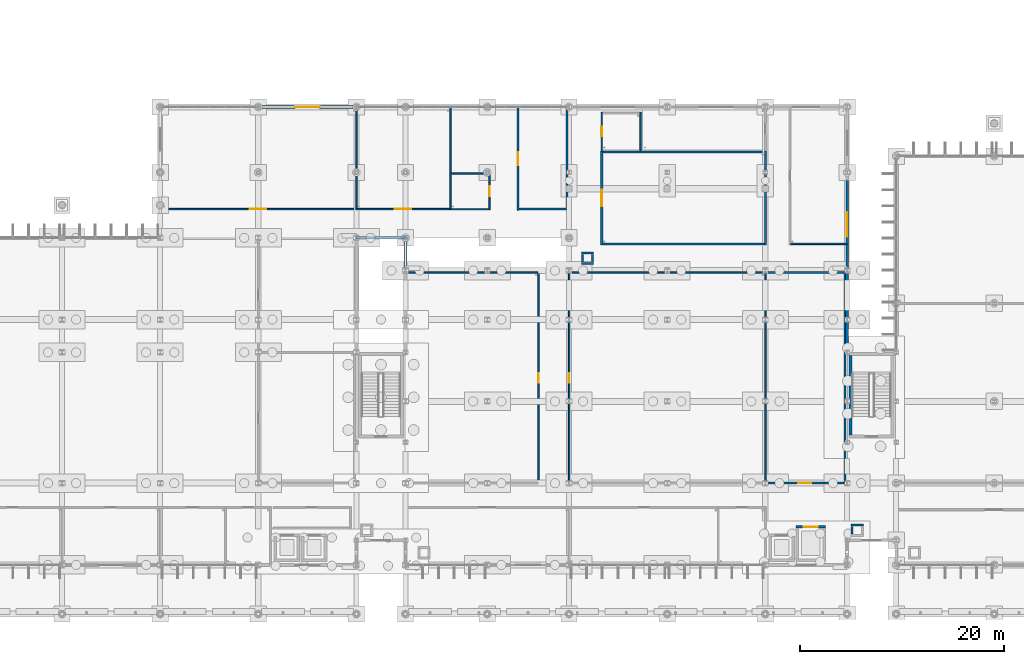
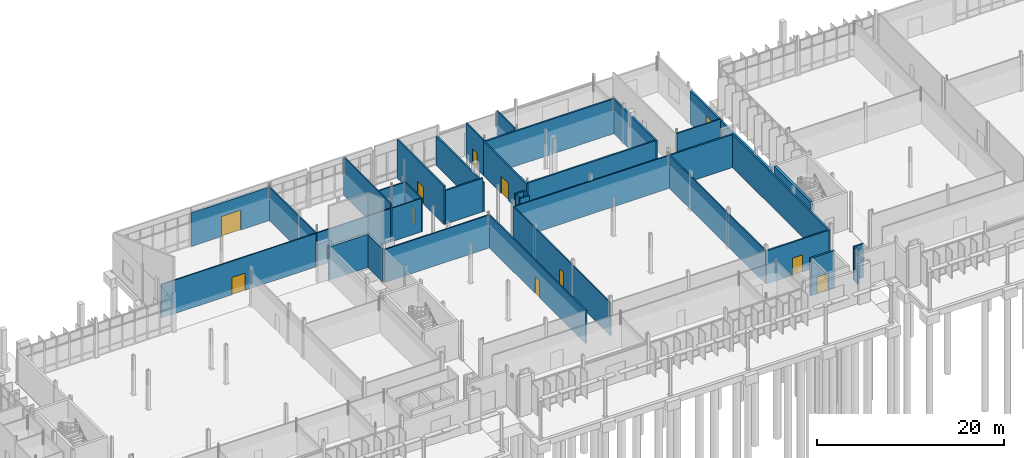
# One storey, part 62 of 111: 38 walls, 11 doors, 1 window, 12 openings.
"""IFC4 building model written with IfcOpenShell, lengths in metres."""

from ifc_helpers import new_model, si_unit, direction, frame, frame_2d, origin, place, context, subcontext, project, spatial, rectangle, extrude, material, layer, layer_set, type_object, element, fill, save


model = new_model("IFC4")

# Units and contexts
model_context = context("Model", 3, precision=1e-05, world=origin(), true_north=direction((0.0, 1.0)))
body_context = subcontext(model_context, "Body", "Model", "MODEL_VIEW")
ifc_project = project(units=[si_unit("LENGTHUNIT", "METRE"), si_unit("AREAUNIT", "SQUARE_METRE"), si_unit("VOLUMEUNIT", "CUBIC_METRE"), si_unit("PLANEANGLEUNIT", "RADIAN"), si_unit("MASSUNIT", "GRAM", prefix="KILO")], contexts=[model_context])

# Site, building, storey
site_placement = place(None, origin())
site = spatial("IfcSite", under=ifc_project, at=site_placement, CompositionType="ELEMENT")
building_placement = place(site_placement, origin())
building = spatial("IfcBuilding", under=site, at=building_placement, Name="Dunescarp Central Library", CompositionType="ELEMENT")
storey_placement = place(building_placement, origin())
storey = spatial("IfcBuildingStorey", under=building, at=storey_placement, Name="L00", CompositionType="ELEMENT", Elevation=0.0)

# Wall
ifc_material_1 = material(Name="Gypsum plasterboard acoustic partition")
ifc_layer_1 = layer(ifc_material_1, 0.14990234375)
ifc_layer_set_1 = layer_set([ifc_layer_1], Name="Gypsum plasterboard acoustic partition")
wall_type_1 = type_object("IfcWallType", Name="ARC-PT-AC150", PredefinedType="PARTITIONING", material=ifc_layer_set_1)
wall_1_placement = place(storey_placement, frame((81.639892578125, 33.39990234375, 0.0), z_axis=(0.0, 0.0, 1.0), x_axis=(1.0, 0.0, 0.0)))
element("IfcWall", 1, at=wall_1_placement, inside=storey, type_object=wall_type_1, Name="L00 partition PT-L00-0260", PredefinedType="PARTITIONING", context=body_context, shape_type="SweptSolid", body=[
    extrude(rectangle(XDim=12.885009765625, YDim=0.14990234375, at=frame_2d((6.4423828125, 0.0))), origin(), (0.0, 0.0, 1.0), 4.304931640625),
])

# Wall, opening, door
wall_2_placement = place(storey_placement, frame((94.60009765625, 12.72509765625, 0.0), z_axis=(0.0, 0.0, 1.0), x_axis=(0.0, 1.0, 0.0)))
wall_2 = element("IfcWall", 2, at=wall_2_placement, inside=storey, type_object=wall_type_1, Name="L00 partition PT-L00-0261", PredefinedType="PARTITIONING", context=body_context, shape_type="SweptSolid", body=[
    extrude(rectangle(XDim=20.75, YDim=0.14990234375, at=frame_2d((10.375, 0.0))), origin(), (0.0, 0.0, 1.0), 4.304931640625),
])
opening_1_placement = place(wall_2_placement, frame((9.89990234375, 0.0, 0.0)))
opening_1 = element("IfcOpeningElement", 3, at=opening_1_placement, cuts=wall_2, Name="Opening DR-L00-0109", PredefinedType="OPENING", context=body_context, shape_type="SweptSolid", body=[
    extrude(rectangle(XDim=0.949951171875, YDim=2.14990234375, at=frame_2d((0.47509765625, 1.074951171875))), frame((0.0, 0.0849609375, 0.0), z_axis=(0.0, -1.0, 0.0), x_axis=(1.0, 0.0, 0.0)), (0.0, 0.0, 1.0), 0.169921875),
])
ifc_material_2 = material(Name="Hardwood solid-core timber leaf", Category="wood")
door_type_1 = type_object("IfcDoorType", Name="ARC-DR-INT950", OperationType="NOTDEFINED", PredefinedType="DOOR", material=ifc_material_2)
door_1_placement = place(opening_1_placement, origin())
door_1 = element("IfcDoor", 4, at=door_1_placement, inside=storey, type_object=door_type_1, Name="L00 interior door DR-L00-0109", OperationType="SINGLE_SWING_RIGHT", OverallHeight=2.14990234375, OverallWidth=0.949951171875, PredefinedType="DOOR", context=body_context, shape_type="SweptSolid", body=[
    extrude(rectangle(XDim=0.949951171875, YDim=2.14990234375, at=frame_2d((0.47509765625, 1.074951171875))), frame((0.0, 0.02490234375, 0.0), z_axis=(0.0, -1.0, 0.0), x_axis=(1.0, 0.0, 0.0)), (0.0, 0.0, 1.0), 0.050048828125),
])
fill(opening_1, door_1)

# Wall
wall_3_placement = place(storey_placement, frame((97.675048828125, 33.39990234375, 0.0), z_axis=(0.0, 0.0, 1.0), x_axis=(1.0, 0.0, 0.0)))
element("IfcWall", 5, at=wall_3_placement, inside=storey, type_object=wall_type_1, Name="L00 partition PT-L00-0263", PredefinedType="PARTITIONING", context=body_context, shape_type="SweptSolid", body=[
    extrude(rectangle(XDim=19.050048828125, YDim=0.14990234375, at=frame_2d((9.52490234375, 0.0))), origin(), (0.0, 0.0, 1.0), 4.304931640625),
])

# Wall, opening, door
wall_4_placement = place(storey_placement, frame((97.60009765625, 12.72509765625, 0.0), z_axis=(0.0, 0.0, 1.0), x_axis=(0.0, 1.0, 0.0)))
wall_4 = element("IfcWall", 6, at=wall_4_placement, inside=storey, type_object=wall_type_1, Name="L00 partition PT-L00-0264", PredefinedType="PARTITIONING", context=body_context, shape_type="SweptSolid", body=[
    extrude(rectangle(XDim=20.75, YDim=0.14990234375, at=frame_2d((10.375, 0.0))), origin(), (0.0, 0.0, 1.0), 4.304931640625),
])
opening_2_placement = place(wall_4_placement, frame((9.89990234375, 0.0, 0.0)))
opening_2 = element("IfcOpeningElement", 7, at=opening_2_placement, cuts=wall_4, Name="Opening DR-L00-0110", PredefinedType="OPENING", context=body_context, shape_type="SweptSolid", body=[
    extrude(rectangle(XDim=0.949951171875, YDim=2.14990234375, at=frame_2d((0.47509765625, 1.074951171875))), frame((0.0, 0.0849609375, 0.0), z_axis=(0.0, -1.0, 0.0), x_axis=(1.0, 0.0, 0.0)), (0.0, 0.0, 1.0), 0.169921875),
])
door_2_placement = place(opening_2_placement, origin())
door_2 = element("IfcDoor", 8, at=door_2_placement, inside=storey, type_object=door_type_1, Name="L00 interior door DR-L00-0110", OperationType="SINGLE_SWING_LEFT", OverallHeight=2.14990234375, OverallWidth=0.949951171875, PredefinedType="DOOR", context=body_context, shape_type="SweptSolid", body=[
    extrude(rectangle(XDim=0.949951171875, YDim=2.14990234375, at=frame_2d((0.47509765625, 1.074951171875))), frame((0.0, 0.02490234375, 0.0), z_axis=(0.0, -1.0, 0.0), x_axis=(1.0, 0.0, 0.0)), (0.0, 0.0, 1.0), 0.050048828125),
])
fill(opening_2, door_2)

# Walls
wall_5_placement = place(storey_placement, frame((116.800048828125, 12.72509765625, 0.0), z_axis=(0.0, 0.0, 1.0), x_axis=(0.0, 1.0, 0.0)))
element("IfcWall", 9, at=wall_5_placement, inside=storey, type_object=wall_type_1, Name="L00 partition PT-L00-0265", PredefinedType="PARTITIONING", context=body_context, shape_type="SweptSolid", body=[
    extrude(rectangle(XDim=20.75, YDim=0.14990234375, at=frame_2d((10.375, 0.0))), origin(), (0.0, 0.0, 1.0), 4.304931640625),
])
wall_6_placement = place(storey_placement, frame((119.27490234375, 36.199951171875, 0.0), z_axis=(0.0, 0.0, 1.0), x_axis=(1.0, 0.0, 0.0)))
element("IfcWall", 10, at=wall_6_placement, inside=storey, type_object=wall_type_1, Name="L00 partition PT-L00-0316", PredefinedType="PARTITIONING", context=body_context, shape_type="SweptSolid", body=[
    extrude(rectangle(XDim=5.485107421875, YDim=0.14990234375, at=frame_2d((2.74267578125, 0.0))), origin(), (0.0, 0.0, 1.0), 4.552001953125),
])

# Wall, opening, door
wall_7_placement = place(storey_placement, frame((57.639892578125, 39.60009765625, 0.0), z_axis=(0.0, 0.0, 1.0), x_axis=(1.0, 0.0, 0.0)))
wall_7 = element("IfcWall", 11, at=wall_7_placement, inside=storey, type_object=wall_type_1, Name="L00 partition PT-L00-0414", PredefinedType="PARTITIONING", context=body_context, shape_type="SweptSolid", body=[
    extrude(rectangle(XDim=19.085205078125, YDim=0.14990234375, at=frame_2d((9.54248046875, 0.0))), origin(), (0.0, 0.0, 1.0), 4.3720703125),
])
opening_3_placement = place(wall_7_placement, frame((8.741943359375, 0.0, 0.0)))
opening_3 = element("IfcOpeningElement", 12, at=opening_3_placement, cuts=wall_7, Name="Opening DR-L00-0180", PredefinedType="OPENING", context=body_context, shape_type="SweptSolid", body=[
    extrude(rectangle(XDim=1.60009765625, YDim=2.25, at=frame_2d((0.800048828125, 1.125))), frame((0.0, 0.0849609375, 0.0), z_axis=(0.0, -1.0, 0.0), x_axis=(1.0, 0.0, 0.0)), (0.0, 0.0, 1.0), 0.169921875),
])
ifc_material_3 = material(Name="Marine-grade anodised aluminium 6063-T6", Category="aluminium")
door_type_2 = type_object("IfcDoorType", Name="ARC-DR-DBL1600", OperationType="DOUBLE_DOOR_SINGLE_SWING", PredefinedType="DOOR", material=ifc_material_3)
door_3_placement = place(opening_3_placement, origin())
door_3 = element("IfcDoor", 13, at=door_3_placement, inside=storey, type_object=door_type_2, Name="L00 interior door DR-L00-0180", OperationType="DOUBLE_DOOR_SINGLE_SWING", OverallHeight=2.25, OverallWidth=1.60009765625, PredefinedType="DOOR", context=body_context, shape_type="SweptSolid", body=[
    extrude(rectangle(XDim=1.60009765625, YDim=2.25, at=frame_2d((0.800048828125, 1.125))), frame((0.0, 0.02490234375, 0.0), z_axis=(0.0, -1.0, 0.0), x_axis=(1.0, 0.0, 0.0)), (0.0, 0.0, 1.0), 0.050048828125),
])
fill(opening_3, door_3)

# Wall
wall_8_placement = place(storey_placement, frame((76.800048828125, 39.52490234375, 0.0), z_axis=(0.0, 0.0, 1.0), x_axis=(0.0, 1.0, 0.0)))
element("IfcWall", 14, at=wall_8_placement, inside=storey, type_object=wall_type_1, Name="L00 partition PT-L00-0415", PredefinedType="PARTITIONING", context=body_context, shape_type="SweptSolid", body=[
    extrude(rectangle(XDim=10.03515625, YDim=0.14990234375, at=frame_2d((5.017578125, 0.0))), origin(), (0.0, 0.0, 1.0), 4.3720703125),
])

# Wall, opening, door
wall_9_placement = place(storey_placement, frame((76.800048828125, 39.60009765625, 0.0), z_axis=(0.0, 0.0, 1.0), x_axis=(1.0, 0.0, 0.0)))
wall_9 = element("IfcWall", 15, at=wall_9_placement, inside=storey, type_object=wall_type_1, Name="L00 partition PT-L00-0416", PredefinedType="PARTITIONING", context=body_context, shape_type="SweptSolid", body=[
    extrude(rectangle(XDim=9.125, YDim=0.14990234375, at=frame_2d((4.5625, 0.0))), origin(), (0.0, 0.0, 1.0), 4.3720703125),
])
opening_4_placement = place(wall_9_placement, frame((3.762939453125, 0.0, 0.0)))
opening_4 = element("IfcOpeningElement", 16, at=opening_4_placement, cuts=wall_9, Name="Opening DR-L00-0181", PredefinedType="OPENING", context=body_context, shape_type="SweptSolid", body=[
    extrude(rectangle(XDim=1.60009765625, YDim=2.25, at=frame_2d((0.800048828125, 1.125))), frame((0.0, 0.0849609375, 0.0), z_axis=(0.0, -1.0, 0.0), x_axis=(1.0, 0.0, 0.0)), (0.0, 0.0, 1.0), 0.169921875),
])
door_4_placement = place(opening_4_placement, origin())
door_4 = element("IfcDoor", 17, at=door_4_placement, inside=storey, type_object=door_type_2, Name="L00 interior door DR-L00-0181", OperationType="DOUBLE_DOOR_SINGLE_SWING", OverallHeight=2.25, OverallWidth=1.60009765625, PredefinedType="DOOR", context=body_context, shape_type="SweptSolid", body=[
    extrude(rectangle(XDim=1.60009765625, YDim=2.25, at=frame_2d((0.800048828125, 1.125))), frame((0.0, 0.02490234375, 0.0), z_axis=(0.0, -1.0, 0.0), x_axis=(1.0, 0.0, 0.0)), (0.0, 0.0, 1.0), 0.050048828125),
])
fill(opening_4, door_4)

# Wall
wall_10_placement = place(storey_placement, frame((86.0, 39.52490234375, 0.0), z_axis=(0.0, 0.0, 1.0), x_axis=(0.0, 1.0, 0.0)))
element("IfcWall", 18, at=wall_10_placement, inside=storey, type_object=wall_type_1, Name="L00 partition PT-L00-0417", PredefinedType="PARTITIONING", context=body_context, shape_type="SweptSolid", body=[
    extrude(rectangle(XDim=10.03515625, YDim=0.14990234375, at=frame_2d((5.017578125, 0.0))), origin(), (0.0, 0.0, 1.0), 5.02392578125),
])

# Wall, opening, door
ifc_material_4 = material(Name="Concrete C35/45", Category="concrete")
ifc_layer_2 = layer(ifc_material_4, 0.199951171875)
ifc_layer_set_2 = layer_set([ifc_layer_2], Name="Concrete C35/45")
wall_type_2 = type_object("IfcWallType", Name="ARC-PT-FIRE200", PredefinedType="PARTITIONING", material=ifc_layer_set_2)
wall_11_placement = place(storey_placement, frame((116.800048828125, 12.800048828125, 0.0), z_axis=(0.0, 0.0, 1.0), x_axis=(1.0, 0.0, 0.0)))
wall_11 = element("IfcWall", 19, at=wall_11_placement, inside=storey, type_object=wall_type_2, Name="L00 partition PT-L00-0266", PredefinedType="PARTITIONING", context=body_context, shape_type="SweptSolid", body=[
    extrude(rectangle(XDim=7.699951171875, YDim=0.199951171875, at=frame_2d((3.85009765625, 0.0))), origin(), (0.0, 0.0, 1.0), 4.304931640625),
])
opening_5_placement = place(wall_11_placement, frame((3.22509765625, 0.0, 0.0)))
opening_5 = element("IfcOpeningElement", 20, at=opening_5_placement, cuts=wall_11, Name="Opening DR-L00-0111", PredefinedType="OPENING", context=body_context, shape_type="SweptSolid", body=[
    extrude(rectangle(XDim=1.25, YDim=2.25, at=frame_2d((0.625, 1.125))), frame((0.0, 0.10986328125, 0.0), z_axis=(0.0, -1.0, 0.0), x_axis=(1.0, 0.0, 0.0)), (0.0, 0.0, 1.0), 0.219970703125),
])
ifc_material_5 = material(Name="Galvanised steel FD120S", Category="steel")
door_type_3 = type_object("IfcDoorType", Name="ARC-DR-VAULT1200", OperationType="NOTDEFINED", PredefinedType="DOOR", material=ifc_material_5)
door_5_placement = place(opening_5_placement, origin())
door_5 = element("IfcDoor", 21, at=door_5_placement, inside=storey, type_object=door_type_3, Name="L00 interior door DR-L00-0111", OperationType="SINGLE_SWING_RIGHT", OverallHeight=2.25, OverallWidth=1.25, PredefinedType="DOOR", context=body_context, shape_type="SweptSolid", body=[
    extrude(rectangle(XDim=1.25, YDim=2.25, at=frame_2d((0.625, 1.125))), frame((0.0, 0.02490234375, 0.0), z_axis=(0.0, -1.0, 0.0), x_axis=(1.0, 0.0, 0.0)), (0.0, 0.0, 1.0), 0.050048828125),
])
fill(opening_5, door_5)

# Walls
wall_12_placement = place(storey_placement, frame((116.800048828125, 33.39990234375, 0.0), z_axis=(0.0, 0.0, 1.0), x_axis=(1.0, 0.0, 0.0)))
element("IfcWall", 22, at=wall_12_placement, inside=storey, type_object=wall_type_2, Name="L00 partition PT-L00-0267", PredefinedType="PARTITIONING", context=body_context, shape_type="SweptSolid", body=[
    extrude(rectangle(XDim=7.699951171875, YDim=0.199951171875, at=frame_2d((3.85009765625, 0.0))), origin(), (0.0, 0.0, 1.0), 4.304931640625),
])
wall_13_placement = place(storey_placement, frame((124.60009765625, 12.699951171875, 0.0), z_axis=(0.0, 0.0, 1.0), x_axis=(0.0, 1.0, 0.0)))
element("IfcWall", 23, at=wall_13_placement, inside=storey, type_object=wall_type_2, Name="L00 partition PT-L00-0268", PredefinedType="PARTITIONING", context=body_context, shape_type="SweptSolid", body=[
    extrude(rectangle(XDim=20.800048828125, YDim=0.199951171875, at=frame_2d((10.39990234375, 0.0))), origin(), (0.0, 0.0, 1.0), 4.304931640625),
])
for number, where, z_axis, x_axis, name in (
    (24, (100.89990234375, 36.199951171875, 0.0), (0.0, 0.0, 1.0), (1.0, 0.0, 0.0), "L00 partition PT-L00-0308"),
    (25, (100.89990234375, 45.199951171875, 0.0), (0.0, 0.0, 1.0), (1.0, 0.0, 0.0), "L00 partition PT-L00-0309"),
):
    element("IfcWall", number, at=place(storey_placement, frame(where, z_axis=z_axis, x_axis=x_axis)), inside=storey, type_object=wall_type_2, Name=name, PredefinedType="PARTITIONING", context=body_context, shape_type="SweptSolid", body=[
        extrude(rectangle(XDim=15.800048828125, YDim=0.199951171875, at=frame_2d((7.89990234375, 0.0))), origin(), (0.0, 0.0, 1.0), 4.552001953125),
    ])

# Wall, opening, door
wall_14_placement = place(storey_placement, frame((100.800048828125, 36.10009765625, 0.0), z_axis=(0.0, 0.0, 1.0), x_axis=(0.0, 1.0, 0.0)))
wall_14 = element("IfcWall", 26, at=wall_14_placement, inside=storey, type_object=wall_type_2, Name="L00 partition PT-L00-0310", PredefinedType="PARTITIONING", context=body_context, shape_type="SweptSolid", body=[
    extrude(rectangle(XDim=9.199951171875, YDim=0.199951171875, at=frame_2d((4.60009765625, 0.0))), origin(), (0.0, 0.0, 1.0), 4.5),
])
opening_6_placement = place(wall_14_placement, frame((3.800048828125, 0.0, 0.0)))
opening_6 = element("IfcOpeningElement", 27, at=opening_6_placement, cuts=wall_14, Name="Opening DR-L00-0132", PredefinedType="OPENING", context=body_context, shape_type="SweptSolid", body=[
    extrude(rectangle(XDim=1.60009765625, YDim=2.25, at=frame_2d((0.800048828125, 1.125))), frame((0.0, 0.10986328125, 0.0), z_axis=(0.0, -1.0, 0.0), x_axis=(1.0, 0.0, 0.0)), (0.0, 0.0, 1.0), 0.219970703125),
])
door_6_placement = place(opening_6_placement, origin())
door_6 = element("IfcDoor", 28, at=door_6_placement, inside=storey, type_object=door_type_2, Name="L00 interior door DR-L00-0132", OperationType="DOUBLE_DOOR_SINGLE_SWING", OverallHeight=2.25, OverallWidth=1.60009765625, PredefinedType="DOOR", context=body_context, shape_type="SweptSolid", body=[
    extrude(rectangle(XDim=1.60009765625, YDim=2.25, at=frame_2d((0.800048828125, 1.125))), frame((0.0, 0.02490234375, 0.0), z_axis=(0.0, -1.0, 0.0), x_axis=(1.0, 0.0, 0.0)), (0.0, 0.0, 1.0), 0.050048828125),
])
fill(opening_6, door_6)

# Walls
wall_15_placement = place(storey_placement, frame((116.800048828125, 36.10009765625, 0.0), z_axis=(0.0, 0.0, 1.0), x_axis=(0.0, 1.0, 0.0)))
element("IfcWall", 29, at=wall_15_placement, inside=storey, type_object=wall_type_2, Name="L00 partition PT-L00-0311", PredefinedType="PARTITIONING", context=body_context, shape_type="SweptSolid", body=[
    extrude(rectangle(XDim=9.199951171875, YDim=0.199951171875, at=frame_2d((4.60009765625, 0.0))), origin(), (0.0, 0.0, 1.0), 4.5),
])
wall_16_placement = place(storey_placement, frame((92.699951171875, 39.60009765625, 0.0), z_axis=(0.0, 0.0, 1.0), x_axis=(1.0, 0.0, 0.0)))
element("IfcWall", 30, at=wall_16_placement, inside=storey, type_object=wall_type_2, Name="L00 partition PT-L00-0421", PredefinedType="PARTITIONING", context=body_context, shape_type="SweptSolid", body=[
    extrude(rectangle(XDim=4.60009765625, YDim=0.199951171875, at=frame_2d((2.300048828125, 0.0))), origin(), (0.0, 0.0, 1.0), 4.382080078125),
])

# Wall, opening, door
wall_17_placement = place(storey_placement, frame((92.60009765625, 39.5, 0.0), z_axis=(0.0, 0.0, 1.0), x_axis=(0.0, 1.0, 0.0)))
wall_17 = element("IfcWall", 31, at=wall_17_placement, inside=storey, type_object=wall_type_2, Name="L00 partition PT-L00-0422", PredefinedType="PARTITIONING", context=body_context, shape_type="SweptSolid", body=[
    extrude(rectangle(XDim=10.06005859375, YDim=0.199951171875, at=frame_2d((5.030029296875, 0.0))), origin(), (0.0, 0.0, 1.0), 5.02392578125),
])
opening_7_placement = place(wall_17_placement, frame((4.405029296875, 0.0, 0.0)))
opening_7 = element("IfcOpeningElement", 32, at=opening_7_placement, cuts=wall_17, Name="Opening DR-L00-0183", PredefinedType="OPENING", context=body_context, shape_type="SweptSolid", body=[
    extrude(rectangle(XDim=1.25, YDim=2.25, at=frame_2d((0.625, 1.125))), frame((0.0, 0.10986328125, 0.0), z_axis=(0.0, -1.0, 0.0), x_axis=(1.0, 0.0, 0.0)), (0.0, 0.0, 1.0), 0.219970703125),
])
door_7_placement = place(opening_7_placement, origin())
door_7 = element("IfcDoor", 33, at=door_7_placement, inside=storey, type_object=door_type_3, Name="L00 interior door DR-L00-0183", OperationType="SINGLE_SWING_LEFT", OverallHeight=2.25, OverallWidth=1.25, PredefinedType="DOOR", context=body_context, shape_type="SweptSolid", body=[
    extrude(rectangle(XDim=1.25, YDim=2.25, at=frame_2d((0.625, 1.125))), frame((0.0, 0.02490234375, 0.0), z_axis=(0.0, -1.0, 0.0), x_axis=(1.0, 0.0, 0.0)), (0.0, 0.0, 1.0), 0.050048828125),
])
fill(opening_7, door_7)

# Wall
wall_18_placement = place(storey_placement, frame((97.39990234375, 39.5, 0.0), z_axis=(0.0, 0.0, 1.0), x_axis=(0.0, 1.0, 0.0)))
element("IfcWall", 34, at=wall_18_placement, inside=storey, type_object=wall_type_2, Name="L00 partition PT-L00-0423", PredefinedType="PARTITIONING", context=body_context, shape_type="SweptSolid", body=[
    extrude(rectangle(XDim=10.06005859375, YDim=0.199951171875, at=frame_2d((5.030029296875, 0.0))), origin(), (0.0, 0.0, 1.0), 3.804931640625),
])

# Wall, opening, door
ifc_material_6 = material(Name="Autoclaved aerated concrete block", Category="concrete")
ifc_layer_3 = layer(ifc_material_6, 0.139892578125)
ifc_layer_set_3 = layer_set([ifc_layer_3], Name="Autoclaved aerated concrete block")
wall_type_3 = type_object("IfcWallType", Name="ARC-PT-WET140", PredefinedType="PARTITIONING", material=ifc_layer_set_3)
wall_19_placement = place(storey_placement, frame((100.800048828125, 45.330078125, 0.0), z_axis=(0.0, 0.0, 1.0), x_axis=(0.0, 1.0, 0.0)))
wall_19 = element("IfcWall", 35, at=wall_19_placement, inside=storey, type_object=wall_type_3, Name="L00 partition PT-L00-0313", PredefinedType="PARTITIONING", context=body_context, shape_type="SweptSolid", body=[
    extrude(rectangle(XDim=3.739990234375, YDim=0.139892578125, at=frame_2d((1.8701171875, 0.0))), origin(), (0.0, 0.0, 1.0), 4.60400390625),
])
opening_8_placement = place(wall_19_placement, frame((1.39501953125, 0.0, 0.0)))
opening_8 = element("IfcOpeningElement", 36, at=opening_8_placement, cuts=wall_19, Name="Opening DR-L00-0133", PredefinedType="OPENING", context=body_context, shape_type="SweptSolid", body=[
    extrude(rectangle(XDim=0.949951171875, YDim=2.10009765625, at=frame_2d((0.47509765625, 1.050048828125))), frame((0.0, 0.080078125, 0.0), z_axis=(0.0, -1.0, 0.0), x_axis=(1.0, 0.0, 0.0)), (0.0, 0.0, 1.0), 0.159912109375),
])
door_type_4 = type_object("IfcDoorType", Name="ARC-DR-WC950", OperationType="NOTDEFINED", PredefinedType="DOOR", material=ifc_material_2)
door_8_placement = place(opening_8_placement, origin())
door_8 = element("IfcDoor", 37, at=door_8_placement, inside=storey, type_object=door_type_4, Name="L00 interior door DR-L00-0133", OperationType="SINGLE_SWING_LEFT", OverallHeight=2.10009765625, OverallWidth=0.949951171875, PredefinedType="DOOR", context=body_context, shape_type="SweptSolid", body=[
    extrude(rectangle(XDim=0.949951171875, YDim=2.10009765625, at=frame_2d((0.47509765625, 1.050048828125))), frame((0.0, 0.02490234375, 0.0), z_axis=(0.0, -1.0, 0.0), x_axis=(1.0, 0.0, 0.0)), (0.0, 0.0, 1.0), 0.050048828125),
])
fill(opening_8, door_8)

# Walls
wall_20_placement = place(storey_placement, frame((104.60009765625, 45.330078125, 0.0), z_axis=(0.0, 0.0, 1.0), x_axis=(0.0, 1.0, 0.0)))
element("IfcWall", 38, at=wall_20_placement, inside=storey, type_object=wall_type_3, Name="L00 partition PT-L00-0314", PredefinedType="PARTITIONING", context=body_context, shape_type="SweptSolid", body=[
    extrude(rectangle(XDim=3.739990234375, YDim=0.139892578125, at=frame_2d((1.8701171875, 0.0))), origin(), (0.0, 0.0, 1.0), 4.8798828125),
])
for number, where, z_axis, x_axis, name in (
    (39, (86.070068359375, 39.60009765625, 0.0), (0.0, 0.0, 1.0), (1.0, 0.0, 0.0), "L00 partition PT-L00-0418"),
    (40, (86.070068359375, 43.10009765625, 0.0), (0.0, 0.0, 1.0), (1.0, 0.0, 0.0), "L00 partition PT-L00-0419"),
):
    element("IfcWall", number, at=place(storey_placement, frame(where, z_axis=z_axis, x_axis=x_axis)), inside=storey, type_object=wall_type_3, Name=name, PredefinedType="PARTITIONING", context=body_context, shape_type="SweptSolid", body=[
        extrude(rectangle(XDim=3.659912109375, YDim=0.139892578125, at=frame_2d((1.830078125, 0.0))), origin(), (0.0, 0.0, 1.0), 4.3720703125),
    ])

# Wall, opening, door
wall_21_placement = place(storey_placement, frame((89.800048828125, 39.530029296875, 0.0), z_axis=(0.0, 0.0, 1.0), x_axis=(0.0, 1.0, 0.0)))
wall_21 = element("IfcWall", 41, at=wall_21_placement, inside=storey, type_object=wall_type_3, Name="L00 partition PT-L00-0420", PredefinedType="PARTITIONING", context=body_context, shape_type="SweptSolid", body=[
    extrude(rectangle(XDim=3.639892578125, YDim=0.139892578125, at=frame_2d((1.81982421875, 0.0))), origin(), (0.0, 0.0, 1.0), 4.3720703125),
])
opening_9_placement = place(wall_21_placement, frame((1.344970703125, 0.0, 0.0)))
opening_9 = element("IfcOpeningElement", 42, at=opening_9_placement, cuts=wall_21, Name="Opening DR-L00-0182", PredefinedType="OPENING", context=body_context, shape_type="SweptSolid", body=[
    extrude(rectangle(XDim=0.949951171875, YDim=2.10009765625, at=frame_2d((0.47509765625, 1.050048828125))), frame((0.0, 0.080078125, 0.0), z_axis=(0.0, -1.0, 0.0), x_axis=(1.0, 0.0, 0.0)), (0.0, 0.0, 1.0), 0.159912109375),
])
door_9_placement = place(opening_9_placement, origin())
door_9 = element("IfcDoor", 43, at=door_9_placement, inside=storey, type_object=door_type_4, Name="L00 interior door DR-L00-0182", OperationType="SINGLE_SWING_RIGHT", OverallHeight=2.10009765625, OverallWidth=0.949951171875, PredefinedType="DOOR", context=body_context, shape_type="SweptSolid", body=[
    extrude(rectangle(XDim=0.949951171875, YDim=2.10009765625, at=frame_2d((0.47509765625, 1.050048828125))), frame((0.0, 0.02490234375, 0.0), z_axis=(0.0, -1.0, 0.0), x_axis=(1.0, 0.0, 0.0)), (0.0, 0.0, 1.0), 0.050048828125),
])
fill(opening_9, door_9)

# Wall
ifc_material_7 = material(Name="Glass-fibre reinforced concrete GRC", Category="concrete")
ifc_layer_4 = layer(ifc_material_7, 0.260009765625)
ifc_layer_set_4 = layer_set([ifc_layer_4], Name="Glass-fibre reinforced concrete GRC")
wall_type_4 = type_object("IfcWallType", Name="ARC-WL-GRC260", PredefinedType="SOLIDWALL", material=ifc_layer_set_4)
wall_22_placement = place(storey_placement, frame((124.800048828125, 33.68505859375, 0.0), z_axis=(0.0, 0.0, 1.0), x_axis=(0.0, -1.0, 0.0)))
element("IfcWall", 44, at=wall_22_placement, inside=storey, type_object=wall_type_4, Name="L00 external wall EW-V3-070", PredefinedType="SOLIDWALL", context=body_context, shape_type="SweptSolid", body=[
    extrude(rectangle(XDim=8.170166015625, YDim=0.260009765625, at=frame_2d((4.0849609375, 0.0))), origin(), (0.0, 0.0, 1.0), 4.304931640625),
])

# Wall, opening, door
wall_23_placement = place(storey_placement, frame((67.114990234375, 49.60009765625, 0.0), z_axis=(0.0, 0.0, 1.0), x_axis=(1.0, 0.0, 0.0)))
wall_23 = element("IfcWall", 45, at=wall_23_placement, inside=storey, type_object=wall_type_4, Name="L00 external wall EW-CLN-179", PredefinedType="SOLIDWALL", context=body_context, shape_type="SweptSolid", body=[
    extrude(rectangle(XDim=9.77001953125, YDim=0.260009765625, at=frame_2d((4.885009765625, 0.0))), origin(), (0.0, 0.0, 1.0), 4.3720703125),
])
opening_10_placement = place(wall_23_placement, frame((3.68505859375, 0.0, 0.0)))
opening_10 = element("IfcOpeningElement", 46, at=opening_10_placement, cuts=wall_23, Name="Opening D-ENT-CLN", PredefinedType="OPENING", context=body_context, shape_type="SweptSolid", body=[
    extrude(rectangle(XDim=2.39990234375, YDim=2.60009765625, at=frame_2d((1.199951171875, 1.300048828125))), frame((0.0, 0.14013671875, 0.0), z_axis=(0.0, -1.0, 0.0), x_axis=(1.0, 0.0, 0.0)), (0.0, 0.0, 1.0), 0.280029296875),
])
door_type_5 = type_object("IfcDoorType", Name="ARC-DR-ENT2400", OperationType="DOUBLE_SWING_LEFT", PredefinedType="DOOR", material=ifc_material_3)
door_10_placement = place(opening_10_placement, origin())
door_10 = element("IfcDoor", 47, at=door_10_placement, inside=storey, type_object=door_type_5, Name="L00 external door D-ENT-CLN", OperationType="DOUBLE_SWING_LEFT", OverallHeight=2.60009765625, OverallWidth=2.39990234375, PredefinedType="DOOR", context=body_context, shape_type="SweptSolid", body=[
    extrude(rectangle(XDim=2.39990234375, YDim=2.60009765625, at=frame_2d((1.199951171875, 1.300048828125))), frame((0.0, 0.02490234375, 0.0), z_axis=(0.0, -1.0, 0.0), x_axis=(1.0, 0.0, 0.0)), (0.0, 0.0, 1.0), 0.050048828125),
])
fill(opening_10, door_10)

# Walls
wall_24_placement = place(storey_placement, frame((81.68505859375, 36.800048828125, 0.0), z_axis=(0.0, 0.0, 1.0), x_axis=(-1.0, 0.0, 0.0)))
element("IfcWall", 48, at=wall_24_placement, inside=storey, type_object=wall_type_4, Name="L00 external wall EW-CLN-180", PredefinedType="SOLIDWALL", context=body_context, shape_type="SweptSolid", body=[
    extrude(rectangle(XDim=4.969970703125, YDim=0.260009765625, at=frame_2d((2.48486328125, 0.0))), origin(), (0.0, 0.0, 1.0), 4.31494140625),
])
wall_25_placement = place(storey_placement, frame((81.60009765625, 33.514892578125, 0.0), z_axis=(0.0, 0.0, 1.0), x_axis=(0.0, 1.0, 0.0)))
element("IfcWall", 49, at=wall_25_placement, inside=storey, type_object=wall_type_4, Name="L00 external wall EW-CLN-181", PredefinedType="SOLIDWALL", context=body_context, shape_type="SweptSolid", body=[
    extrude(rectangle(XDim=3.3701171875, YDim=0.260009765625, at=frame_2d((1.68505859375, 0.0))), origin(), (0.0, 0.0, 1.0), 4.304931640625),
])

# Wall, opening, window
ifc_layer_5 = layer(ifc_material_4, 0.239990234375)
ifc_layer_set_5 = layer_set([ifc_layer_5], Name="Concrete C35/45")
wall_type_5 = type_object("IfcWallType", Name="ARC-WL-MAS240", PredefinedType="SOLIDWALL", material=ifc_layer_set_5)
wall_26_placement = place(storey_placement, frame((124.800048828125, 42.68505859375, 0.0), z_axis=(0.0, 0.0, 1.0), x_axis=(0.0, -1.0, 0.0)))
wall_26 = element("IfcWall", 50, at=wall_26_placement, inside=storey, type_object=wall_type_5, Name="L00 external wall EW-V3D-E2", PredefinedType="SOLIDWALL", context=body_context, shape_type="SweptSolid", body=[
    extrude(rectangle(XDim=9.170166015625, YDim=0.239990234375, at=frame_2d((4.5849609375, 0.0))), origin(), (0.0, 0.0, 1.0), 4.304931640625),
])
opening_11_placement = place(wall_26_placement, frame((3.385009765625, 0.0, 1.0)))
opening_11 = element("IfcOpeningElement", 51, at=opening_11_placement, cuts=wall_26, Name="Opening WN-V3D-2", PredefinedType="OPENING", context=body_context, shape_type="SweptSolid", body=[
    extrude(rectangle(XDim=2.39990234375, YDim=2.10009765625, at=frame_2d((1.199951171875, 1.050048828125))), frame((0.0, 0.1298828125, 0.0), z_axis=(0.0, -1.0, 0.0), x_axis=(1.0, 0.0, 0.0)), (0.0, 0.0, 1.0), 0.260009765625),
])
ifc_material_8 = material(Name="Solar-control laminated double glazing", Category="glass")
window_type = type_object("IfcWindowType", Name="ARC-WN-2400X2100", PartitioningType="SINGLE_PANEL", PredefinedType="WINDOW", material=ifc_material_8)
window_placement = place(opening_11_placement, origin())
window = element("IfcWindow", 52, at=window_placement, inside=storey, type_object=window_type, Name="L00 window WN-V3D-2", OverallHeight=2.10009765625, OverallWidth=2.39990234375, PartitioningType="SINGLE_PANEL", PredefinedType="WINDOW", context=body_context, shape_type="SweptSolid", body=[
    extrude(rectangle(XDim=2.39990234375, YDim=2.10009765625, at=frame_2d((1.199951171875, 1.050048828125))), frame((0.0, 0.030029296875, 0.0), z_axis=(0.0, -1.0, 0.0), x_axis=(1.0, 0.0, 0.0)), (0.0, 0.0, 1.0), 0.06005859375),
])
fill(opening_11, window)

# Walls
ifc_layer_6 = layer(ifc_material_4, 0.199951171875)
ifc_layer_set_6 = layer_set([ifc_layer_6], Name="Concrete C35/45")
wall_type_6 = type_object("IfcWallType", Name="ARC-WL-RISER200", PredefinedType="PARTITIONING", material=ifc_layer_set_6)
wall_27_placement = place(storey_placement, frame((125.199951171875, 8.699951171875, 0.0), z_axis=(0.0, 0.0, 1.0), x_axis=(1.0, 0.0, 0.0)))
element("IfcWall", 53, at=wall_27_placement, inside=storey, type_object=wall_type_6, Name="L00 GL3 duct shaft wall N", PredefinedType="PARTITIONING", context=body_context, shape_type="SweptSolid", body=[
    extrude(rectangle(XDim=1.199951171875, YDim=0.199951171875, at=frame_2d((0.60009765625, 0.0))), origin(), (0.0, 0.0, 1.0), 4.3798828125),
])
wall_28_placement = place(storey_placement, frame((125.300048828125, 7.820068359375, 0.0), z_axis=(0.0, 0.0, 1.0), x_axis=(0.0, 1.0, 0.0)))
element("IfcWall", 54, at=wall_28_placement, inside=storey, type_object=wall_type_6, Name="L00 GL3 duct shaft wall W", PredefinedType="PARTITIONING", context=body_context, shape_type="SweptSolid", body=[
    extrude(rectangle(XDim=0.760009765625, YDim=0.199951171875, at=frame_2d((0.3798828125, 0.0))), origin(), (0.0, 0.0, 1.0), 4.3798828125),
])
for number, where, z_axis, x_axis, name in (
    (55, (100.0, 34.300048828125, 0.0), (0.0, 0.0, 1.0), (-1.0, 0.0, 0.0), "L00 V3D duct shaft wall S"),
    (56, (98.800048828125, 35.300048828125, 0.0), (0.0, 0.0, 1.0), (1.0, 0.0, 0.0), "L00 V3D duct shaft wall N"),
):
    element("IfcWall", number, at=place(storey_placement, frame(where, z_axis=z_axis, x_axis=x_axis)), inside=storey, type_object=wall_type_6, Name=name, PredefinedType="PARTITIONING", context=body_context, shape_type="SweptSolid", body=[
        extrude(rectangle(XDim=1.199951171875, YDim=0.199951171875, at=frame_2d((0.60009765625, 0.0))), origin(), (0.0, 0.0, 1.0), 4.3798828125),
    ])
for number, where, z_axis, x_axis, name in (
    (57, (98.89990234375, 34.419921875, 0.0), (0.0, 0.0, 1.0), (0.0, 1.0, 0.0), "L00 V3D duct shaft wall W"),
    (58, (99.89990234375, 35.179931640625, 0.0), (0.0, 0.0, 1.0), (0.0, -1.0, 0.0), "L00 V3D duct shaft wall E"),
):
    element("IfcWall", number, at=place(storey_placement, frame(where, z_axis=z_axis, x_axis=x_axis)), inside=storey, type_object=wall_type_6, Name=name, PredefinedType="PARTITIONING", context=body_context, shape_type="SweptSolid", body=[
        extrude(rectangle(XDim=0.760009765625, YDim=0.199951171875, at=frame_2d((0.3798828125, 0.0))), origin(), (0.0, 0.0, 1.0), 4.3798828125),
    ])

# Wall, opening, door
ifc_material_9 = material(Name="Concrete C40/50", Category="concrete")
ifc_layer_7 = layer(ifc_material_9, 0.25)
ifc_layer_set_7 = layer_set([ifc_layer_7], Name="Concrete C40/50")
wall_type_7 = type_object("IfcWallType", Name="STR-WL-CORE250", PredefinedType="SHEAR", material=ifc_layer_set_7)
wall_29_placement = place(storey_placement, frame((119.800048828125, 8.52490234375, 0.0), z_axis=(0.0, 0.0, 1.0), x_axis=(1.0, 0.0, 0.0)))
wall_29 = element("IfcWall", 59, at=wall_29_placement, inside=storey, type_object=wall_type_7, Name="L00 BL-1 lift shaft wall N", PredefinedType="SHEAR", context=body_context, shape_type="SweptSolid", body=[
    extrude(rectangle(XDim=2.89990234375, YDim=0.25, at=frame_2d((1.449951171875, 0.0))), origin(), (0.0, 0.0, 1.0), 4.8798828125),
])
opening_12_placement = place(wall_29_placement, frame((0.75, 0.0, 0.0)))
opening_12 = element("IfcOpeningElement", 60, at=opening_12_placement, cuts=wall_29, Name="Opening LD-BL-1-L00", PredefinedType="OPENING", context=body_context, shape_type="SweptSolid", body=[
    extrude(rectangle(XDim=1.39990234375, YDim=2.199951171875, at=frame_2d((0.699951171875, 1.10009765625))), frame((0.0, 0.135009765625, 0.0), z_axis=(0.0, -1.0, 0.0), x_axis=(1.0, 0.0, 0.0)), (0.0, 0.0, 1.0), 0.27001953125),
])
ifc_material_10 = material(Name="Stainless steel Grade 316L", Category="steel")
door_type_6 = type_object("IfcDoorType", Name="ARC-DR-LD1400", OperationType="DOUBLE_DOOR_SLIDING", PredefinedType="DOOR", material=ifc_material_10)
door_11_placement = place(opening_12_placement, origin())
door_11 = element("IfcDoor", 61, at=door_11_placement, inside=storey, type_object=door_type_6, Name="L00 BL-1 lift landing door", OperationType="DOUBLE_DOOR_SLIDING", OverallHeight=2.199951171875, OverallWidth=1.39990234375, PredefinedType="DOOR", context=body_context, shape_type="SweptSolid", body=[
    extrude(rectangle(XDim=1.39990234375, YDim=2.199951171875, at=frame_2d((0.699951171875, 1.10009765625))), frame((0.0, 0.02490234375, 0.0), z_axis=(0.0, -1.0, 0.0), x_axis=(1.0, 0.0, 0.0)), (0.0, 0.0, 1.0), 0.050048828125),
])
fill(opening_12, door_11)

# Wall
ifc_layer_8 = layer(ifc_material_9, 0.300048828125)
ifc_layer_set_8 = layer_set([ifc_layer_8], Name="Concrete C40/50")
wall_type_8 = type_object("IfcWallType", Name="STR-WL-CORE300", PredefinedType="SHEAR", material=ifc_layer_set_8)
wall_30_placement = place(storey_placement, frame((125.14990234375, 17.5, 0.0), z_axis=(0.0, 0.0, 1.0), x_axis=(0.0, 1.0, 0.0)))
element("IfcWall", 62, at=wall_30_placement, inside=storey, type_object=wall_type_8, Name="L00 ST-5 west core wall", PredefinedType="SHEAR", context=body_context, shape_type="SweptSolid", body=[
    extrude(rectangle(XDim=7.800048828125, YDim=0.300048828125, at=frame_2d((3.89990234375, 0.0))), origin(), (0.0, 0.0, 1.0), 4.8798828125),
])

save(model, "model.ifc")
